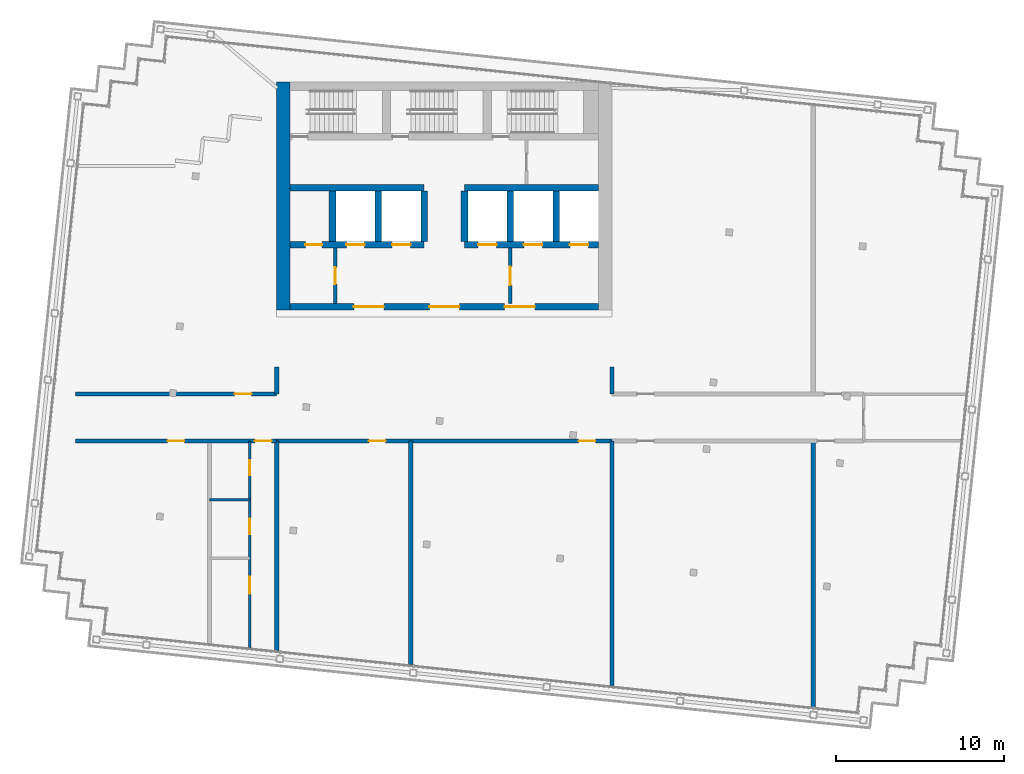
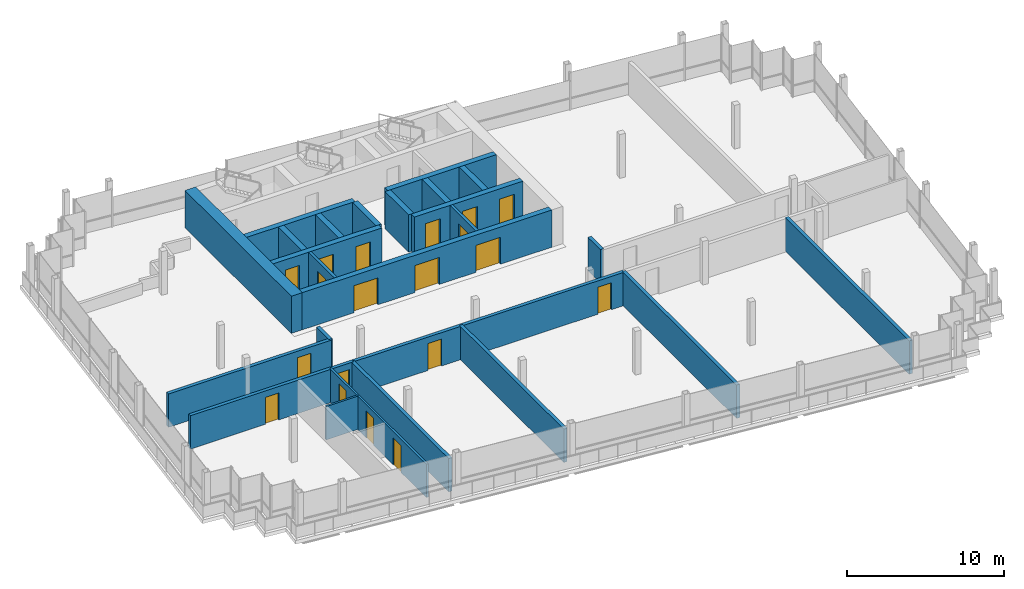
# One storey, part 11 of 15: 25 walls, 19 doors, 19 openings.
"""IFC4 building model written with IfcOpenShell, lengths in metres."""

from ifc_helpers import new_model, si_unit, direction, frame, frame_2d, origin, place, context, subcontext, project, spatial, rectangle, extrude, material, layer, layer_set, type_object, element, fill, save


model = new_model("IFC4")

# Units and contexts
model_context = context("Model", 3, precision=1e-05, world=origin(), true_north=direction((0.0, 1.0)))
body_context = subcontext(model_context, "Body", "Model", "MODEL_VIEW")
ifc_project = project(units=[si_unit("LENGTHUNIT", "METRE"), si_unit("AREAUNIT", "SQUARE_METRE"), si_unit("VOLUMEUNIT", "CUBIC_METRE"), si_unit("PLANEANGLEUNIT", "RADIAN"), si_unit("MASSUNIT", "GRAM", prefix="KILO")], contexts=[model_context])

# Site, building, storey
site_placement = place(None, origin())
site = spatial("IfcSite", under=ifc_project, at=site_placement, CompositionType="ELEMENT")
building_placement = place(site_placement, origin())
building = spatial("IfcBuilding", under=site, at=building_placement, Name="Vidyagriha Tower", CompositionType="ELEMENT")
storey_placement = place(building_placement, frame((0.0, 0.0, 298.300048828125)))
storey = spatial("IfcBuildingStorey", under=building, at=storey_placement, Name="L77", CompositionType="ELEMENT", Elevation=298.300048828125)

# Wall, openings, doors
ifc_material_1 = material(Name="Concrete C60/75", Category="concrete")
ifc_layer_1 = layer(ifc_material_1, 0.39990234375)
ifc_layer_set_1 = layer_set([ifc_layer_1], Name="Concrete C60/75")
wall_type_1 = type_object("IfcWallType", Name="Core shear wall 400 mm", PredefinedType="SHEAR", material=ifc_layer_set_1)
wall_1_placement = place(storey_placement, frame((-9.199951171875, 6.60009765625, 0.0)))
wall_1 = element("IfcWall", 1, at=wall_1_placement, inside=storey, type_object=wall_type_1, Name="Core south wall", PredefinedType="SHEAR", context=body_context, shape_type="SweptSolid", body=[
    extrude(rectangle(XDim=18.39990234375, YDim=0.39990234375, at=frame_2d((9.199951171875, 0.0))), origin(), (0.0, 0.0, 1.0), 2.89990234375),
])
opening_1_placement = place(wall_1_placement, frame((8.300048828125, 0.0, 0.0)))
opening_1 = element("IfcOpeningElement", 2, at=opening_1_placement, cuts=wall_1, Name="Opening D77-01", PredefinedType="OPENING", context=body_context, shape_type="SweptSolid", body=[
    extrude(rectangle(XDim=1.800048828125, YDim=2.10009765625, at=frame_2d((0.89990234375, 1.050048828125))), frame((0.0, 0.2099609375, 0.0), z_axis=(0.0, -1.0, 0.0), x_axis=(1.0, 0.0, 0.0)), (0.0, 0.0, 1.0), 0.419921875),
])
opening_2_placement = place(wall_1_placement, frame((3.800048828125, 0.0, 0.0)))
opening_2 = element("IfcOpeningElement", 3, at=opening_2_placement, cuts=wall_1, Name="Opening D77-02", PredefinedType="OPENING", context=body_context, shape_type="SweptSolid", body=[
    extrude(rectangle(XDim=1.800048828125, YDim=2.10009765625, at=frame_2d((0.89990234375, 1.050048828125))), frame((0.0, 0.2099609375, 0.0), z_axis=(0.0, -1.0, 0.0), x_axis=(1.0, 0.0, 0.0)), (0.0, 0.0, 1.0), 0.419921875),
])
opening_3_placement = place(wall_1_placement, frame((12.800048828125, 0.0, 0.0)))
opening_3 = element("IfcOpeningElement", 4, at=opening_3_placement, cuts=wall_1, Name="Opening D77-03", PredefinedType="OPENING", context=body_context, shape_type="SweptSolid", body=[
    extrude(rectangle(XDim=1.800048828125, YDim=2.10009765625, at=frame_2d((0.89990234375, 1.050048828125))), frame((0.0, 0.2099609375, 0.0), z_axis=(0.0, -1.0, 0.0), x_axis=(1.0, 0.0, 0.0)), (0.0, 0.0, 1.0), 0.419921875),
])
ifc_material_2 = material(Name="Hollow metal door leaf")
door_type_1 = type_object("IfcDoorType", Name="Core lobby double door 1800 x 2100 mm EI 60", OperationType="NOTDEFINED", PredefinedType="DOOR", material=ifc_material_2)
door_1_placement = place(opening_1_placement, frame((1.800048828125, 0.0, 0.0), z_axis=(0.0, 0.0, 1.0), x_axis=(-1.0, 0.0, 0.0)))
door_1 = element("IfcDoor", 5, at=door_1_placement, inside=storey, type_object=door_type_1, Name="Core entrance door L77", OperationType="DOUBLE_DOOR_SINGLE_SWING", OverallHeight=2.10009765625, OverallWidth=1.800048828125, PredefinedType="DOOR", context=body_context, shape_type="SweptSolid", body=[
    extrude(rectangle(XDim=1.800048828125, YDim=2.10009765625, at=frame_2d((0.89990234375, 1.050048828125))), frame((0.0, 0.02490234375, 0.0), z_axis=(0.0, -1.0, 0.0), x_axis=(1.0, 0.0, 0.0)), (0.0, 0.0, 1.0), 0.050048828125),
])
fill(opening_1, door_1)
door_2_placement = place(opening_2_placement, frame((1.800048828125, 0.0, 0.0), z_axis=(0.0, 0.0, 1.0), x_axis=(-1.0, 0.0, 0.0)))
door_2 = element("IfcDoor", 6, at=door_2_placement, inside=storey, type_object=door_type_1, Name="Core entrance door west L77", OperationType="DOUBLE_DOOR_SINGLE_SWING", OverallHeight=2.10009765625, OverallWidth=1.800048828125, PredefinedType="DOOR", context=body_context, shape_type="SweptSolid", body=[
    extrude(rectangle(XDim=1.800048828125, YDim=2.10009765625, at=frame_2d((0.89990234375, 1.050048828125))), frame((0.0, 0.02490234375, 0.0), z_axis=(0.0, -1.0, 0.0), x_axis=(1.0, 0.0, 0.0)), (0.0, 0.0, 1.0), 0.050048828125),
])
fill(opening_2, door_2)
door_3_placement = place(opening_3_placement, frame((1.800048828125, 0.0, 0.0), z_axis=(0.0, 0.0, 1.0), x_axis=(-1.0, 0.0, 0.0)))
door_3 = element("IfcDoor", 7, at=door_3_placement, inside=storey, type_object=door_type_1, Name="Core entrance door east L77", OperationType="DOUBLE_DOOR_SINGLE_SWING", OverallHeight=2.10009765625, OverallWidth=1.800048828125, PredefinedType="DOOR", context=body_context, shape_type="SweptSolid", body=[
    extrude(rectangle(XDim=1.800048828125, YDim=2.10009765625, at=frame_2d((0.89990234375, 1.050048828125))), frame((0.0, 0.02490234375, 0.0), z_axis=(0.0, -1.0, 0.0), x_axis=(1.0, 0.0, 0.0)), (0.0, 0.0, 1.0), 0.050048828125),
])
fill(opening_3, door_3)

wall_2_placement = place(storey_placement, frame((-9.199951171875, 10.300048828125, 0.0)))
wall_2 = element("IfcWall", 8, at=wall_2_placement, inside=storey, type_object=wall_type_1, Name="Core row N front wall", PredefinedType="SHEAR", context=body_context, shape_type="SweptSolid", body=[
    extrude(rectangle(XDim=8.0, YDim=0.39990234375, at=frame_2d((4.0, 0.0))), origin(), (0.0, 0.0, 1.0), 2.89990234375),
])
opening_4_placement = place(wall_2_placement, frame((3.35009765625, 0.0, 0.0)))
opening_4 = element("IfcOpeningElement", 9, at=opening_4_placement, cuts=wall_2, Name="Opening LD77-01", PredefinedType="OPENING", context=body_context, shape_type="SweptSolid", body=[
    extrude(rectangle(XDim=1.10009765625, YDim=2.10009765625, at=frame_2d((0.550048828125, 1.050048828125))), frame((0.0, 0.2099609375, 0.0), z_axis=(0.0, -1.0, 0.0), x_axis=(1.0, 0.0, 0.0)), (0.0, 0.0, 1.0), 0.419921875),
])
opening_5_placement = place(wall_2_placement, frame((6.083251953125, 0.0, 0.0)))
opening_5 = element("IfcOpeningElement", 10, at=opening_5_placement, cuts=wall_2, Name="Opening LD77-02", PredefinedType="OPENING", context=body_context, shape_type="SweptSolid", body=[
    extrude(rectangle(XDim=1.10009765625, YDim=2.10009765625, at=frame_2d((0.550048828125, 1.050048828125))), frame((0.0, 0.2099609375, 0.0), z_axis=(0.0, -1.0, 0.0), x_axis=(1.0, 0.0, 0.0)), (0.0, 0.0, 1.0), 0.419921875),
])
opening_6_placement = place(wall_2_placement, frame((0.916748046875, 0.0, 0.0)))
opening_6 = element("IfcOpeningElement", 11, at=opening_6_placement, cuts=wall_2, Name="Opening D77-04", PredefinedType="OPENING", context=body_context, shape_type="SweptSolid", body=[
    extrude(rectangle(XDim=1.0, YDim=2.10009765625, at=frame_2d((0.5, 1.050048828125))), frame((0.0, 0.2099609375, 0.0), z_axis=(0.0, -1.0, 0.0), x_axis=(1.0, 0.0, 0.0)), (0.0, 0.0, 1.0), 0.419921875),
])
ifc_material_3 = material(Name="Hollow metal door leaf")
door_type_2 = type_object("IfcDoorType", Name="Core room door 1000 x 2100 mm EI 60", OperationType="NOTDEFINED", PredefinedType="DOOR", material=ifc_material_3)
door_4_placement = place(opening_6_placement, frame((1.0, 0.0, 0.0), z_axis=(0.0, 0.0, 1.0), x_axis=(-1.0, 0.0, 0.0)))
door_4 = element("IfcDoor", 12, at=door_4_placement, inside=storey, type_object=door_type_2, Name="Door Pressurisation Plant Room 77.14", OperationType="SINGLE_SWING_RIGHT", OverallHeight=2.10009765625, OverallWidth=1.0, PredefinedType="DOOR", context=body_context, shape_type="SweptSolid", body=[
    extrude(rectangle(XDim=1.0, YDim=2.10009765625, at=frame_2d((0.5, 1.050048828125))), frame((0.0, 0.02490234375, 0.0), z_axis=(0.0, -1.0, 0.0), x_axis=(1.0, 0.0, 0.0)), (0.0, 0.0, 1.0), 0.050048828125),
])
fill(opening_6, door_4)
ifc_material_4 = material(Name="Stainless steel sliding door panel", Category="steel")
door_type_3 = type_object("IfcDoorType", Name="Lift landing door 1100 x 2100 mm EI 90", OperationType="NOTDEFINED", PredefinedType="DOOR", material=ifc_material_4)
door_5_placement = place(opening_4_placement, origin())
door_5 = element("IfcDoor", 13, at=door_5_placement, inside=storey, type_object=door_type_3, Name="Landing door HR1 L77", OperationType="SLIDING_TO_LEFT", OverallHeight=2.10009765625, OverallWidth=1.10009765625, PredefinedType="DOOR", context=body_context, shape_type="SweptSolid", body=[
    extrude(rectangle(XDim=1.10009765625, YDim=2.10009765625, at=frame_2d((0.550048828125, 1.050048828125))), frame((0.0, 0.02490234375, 0.0), z_axis=(0.0, -1.0, 0.0), x_axis=(1.0, 0.0, 0.0)), (0.0, 0.0, 1.0), 0.050048828125),
])
fill(opening_4, door_5)
door_6_placement = place(opening_5_placement, origin())
door_6 = element("IfcDoor", 14, at=door_6_placement, inside=storey, type_object=door_type_3, Name="Landing door HR2 L77", OperationType="SLIDING_TO_LEFT", OverallHeight=2.10009765625, OverallWidth=1.10009765625, PredefinedType="DOOR", context=body_context, shape_type="SweptSolid", body=[
    extrude(rectangle(XDim=1.10009765625, YDim=2.10009765625, at=frame_2d((0.550048828125, 1.050048828125))), frame((0.0, 0.02490234375, 0.0), z_axis=(0.0, -1.0, 0.0), x_axis=(1.0, 0.0, 0.0)), (0.0, 0.0, 1.0), 0.050048828125),
])
fill(opening_5, door_6)

# Wall
wall_3_placement = place(storey_placement, frame((-9.199951171875, 13.699951171875, 0.0)))
element("IfcWall", 15, at=wall_3_placement, inside=storey, type_object=wall_type_1, Name="Core row N rear wall", PredefinedType="SHEAR", context=body_context, shape_type="SweptSolid", body=[
    extrude(rectangle(XDim=8.0, YDim=0.39990234375, at=frame_2d((4.0, 0.0))), origin(), (0.0, 0.0, 1.0), 2.89990234375),
])

# Wall, openings, doors
wall_4_placement = place(storey_placement, frame((1.199951171875, 10.300048828125, 0.0)))
wall_4 = element("IfcWall", 16, at=wall_4_placement, inside=storey, type_object=wall_type_1, Name="Core row N front wall", PredefinedType="SHEAR", context=body_context, shape_type="SweptSolid", body=[
    extrude(rectangle(XDim=8.0, YDim=0.39990234375, at=frame_2d((4.0, 0.0))), origin(), (0.0, 0.0, 1.0), 2.89990234375),
])
opening_7_placement = place(wall_4_placement, frame((0.816650390625, 0.0, 0.0)))
opening_7 = element("IfcOpeningElement", 17, at=opening_7_placement, cuts=wall_4, Name="Opening LD77-03", PredefinedType="OPENING", context=body_context, shape_type="SweptSolid", body=[
    extrude(rectangle(XDim=1.10009765625, YDim=2.10009765625, at=frame_2d((0.550048828125, 1.050048828125))), frame((0.0, 0.2099609375, 0.0), z_axis=(0.0, -1.0, 0.0), x_axis=(1.0, 0.0, 0.0)), (0.0, 0.0, 1.0), 0.419921875),
])
opening_8_placement = place(wall_4_placement, frame((3.550048828125, 0.0, 0.0)))
opening_8 = element("IfcOpeningElement", 18, at=opening_8_placement, cuts=wall_4, Name="Opening LD77-04", PredefinedType="OPENING", context=body_context, shape_type="SweptSolid", body=[
    extrude(rectangle(XDim=1.10009765625, YDim=2.10009765625, at=frame_2d((0.550048828125, 1.050048828125))), frame((0.0, 0.2099609375, 0.0), z_axis=(0.0, -1.0, 0.0), x_axis=(1.0, 0.0, 0.0)), (0.0, 0.0, 1.0), 0.419921875),
])
opening_9_placement = place(wall_4_placement, frame((6.283203125, 0.0, 0.0)))
opening_9 = element("IfcOpeningElement", 19, at=opening_9_placement, cuts=wall_4, Name="Opening LD77-05", PredefinedType="OPENING", context=body_context, shape_type="SweptSolid", body=[
    extrude(rectangle(XDim=1.10009765625, YDim=2.10009765625, at=frame_2d((0.550048828125, 1.050048828125))), frame((0.0, 0.2099609375, 0.0), z_axis=(0.0, -1.0, 0.0), x_axis=(1.0, 0.0, 0.0)), (0.0, 0.0, 1.0), 0.419921875),
])
door_7_placement = place(opening_7_placement, origin())
door_7 = element("IfcDoor", 20, at=door_7_placement, inside=storey, type_object=door_type_3, Name="Landing door HR3 L77", OperationType="SLIDING_TO_LEFT", OverallHeight=2.10009765625, OverallWidth=1.10009765625, PredefinedType="DOOR", context=body_context, shape_type="SweptSolid", body=[
    extrude(rectangle(XDim=1.10009765625, YDim=2.10009765625, at=frame_2d((0.550048828125, 1.050048828125))), frame((0.0, 0.02490234375, 0.0), z_axis=(0.0, -1.0, 0.0), x_axis=(1.0, 0.0, 0.0)), (0.0, 0.0, 1.0), 0.050048828125),
])
fill(opening_7, door_7)
door_8_placement = place(opening_8_placement, origin())
door_8 = element("IfcDoor", 21, at=door_8_placement, inside=storey, type_object=door_type_3, Name="Landing door FF1 L77", OperationType="SLIDING_TO_LEFT", OverallHeight=2.10009765625, OverallWidth=1.10009765625, PredefinedType="DOOR", context=body_context, shape_type="SweptSolid", body=[
    extrude(rectangle(XDim=1.10009765625, YDim=2.10009765625, at=frame_2d((0.550048828125, 1.050048828125))), frame((0.0, 0.02490234375, 0.0), z_axis=(0.0, -1.0, 0.0), x_axis=(1.0, 0.0, 0.0)), (0.0, 0.0, 1.0), 0.050048828125),
])
fill(opening_8, door_8)
door_9_placement = place(opening_9_placement, origin())
door_9 = element("IfcDoor", 22, at=door_9_placement, inside=storey, type_object=door_type_3, Name="Landing door FF2 L77", OperationType="SLIDING_TO_LEFT", OverallHeight=2.10009765625, OverallWidth=1.10009765625, PredefinedType="DOOR", context=body_context, shape_type="SweptSolid", body=[
    extrude(rectangle(XDim=1.10009765625, YDim=2.10009765625, at=frame_2d((0.550048828125, 1.050048828125))), frame((0.0, 0.02490234375, 0.0), z_axis=(0.0, -1.0, 0.0), x_axis=(1.0, 0.0, 0.0)), (0.0, 0.0, 1.0), 0.050048828125),
])
fill(opening_9, door_9)

# Walls
wall_5_placement = place(storey_placement, frame((1.199951171875, 13.699951171875, 0.0)))
element("IfcWall", 23, at=wall_5_placement, inside=storey, type_object=wall_type_1, Name="Core row N rear wall", PredefinedType="SHEAR", context=body_context, shape_type="SweptSolid", body=[
    extrude(rectangle(XDim=8.0, YDim=0.39990234375, at=frame_2d((4.0, 0.0))), origin(), (0.0, 0.0, 1.0), 2.89990234375),
])
for number, where, z_axis, x_axis, name in (
    (24, (-6.666748046875, 10.5, 0.0), (0.0, 0.0, 1.0), (0.0, 1.0, 0.0), "Core bay wall N1"),
    (25, (-3.933349609375, 10.5, 0.0), (0.0, 0.0, 1.0), (0.0, 1.0, 0.0), "Core bay wall N2"),
    (26, (-1.199951171875, 10.5, 0.0), (0.0, 0.0, 1.0), (0.0, 1.0, 0.0), "Core bay wall N3"),
    (27, (1.199951171875, 10.5, 0.0), (0.0, 0.0, 1.0), (0.0, 1.0, 0.0), "Core bay wall N4"),
    (28, (3.933349609375, 10.5, 0.0), (0.0, 0.0, 1.0), (0.0, 1.0, 0.0), "Core bay wall N5"),
    (29, (6.666748046875, 10.5, 0.0), (0.0, 0.0, 1.0), (0.0, 1.0, 0.0), "Core bay wall N6"),
):
    element("IfcWall", number, at=place(storey_placement, frame(where, z_axis=z_axis, x_axis=x_axis)), inside=storey, type_object=wall_type_1, Name=name, PredefinedType="SHEAR", context=body_context, shape_type="SweptSolid", body=[
        extrude(rectangle(XDim=3.0, YDim=0.39990234375, at=frame_2d((1.5, 0.0))), origin(), (0.0, 0.0, 1.0), 2.89990234375),
    ])
ifc_material_5 = material(Name="Concrete C60/75", Category="concrete")
ifc_layer_2 = layer(ifc_material_5, 0.800048828125)
ifc_layer_set_2 = layer_set([ifc_layer_2], Name="Concrete C60/75")
wall_type_2 = type_object("IfcWallType", Name="Core shear wall 800 mm", PredefinedType="SHEAR", material=ifc_layer_set_2)
wall_6_placement = place(storey_placement, frame((-9.60009765625, 6.39990234375, 0.0), z_axis=(0.0, 0.0, 1.0), x_axis=(0.0, 1.0, 0.0)))
element("IfcWall", 30, at=wall_6_placement, inside=storey, type_object=wall_type_2, Name="Core west wall", PredefinedType="SHEAR", context=body_context, shape_type="SweptSolid", body=[
    extrude(rectangle(XDim=13.60009765625, YDim=0.800048828125, at=frame_2d((6.800048828125, 0.0))), origin(), (0.0, 0.0, 1.0), 2.89990234375),
])

# Wall, openings, doors
ifc_material_6 = material(Name="Fired clay brick masonry", Category="masonry")
ifc_layer_3 = layer(ifc_material_6, 0.25)
ifc_layer_set_3 = layer_set([ifc_layer_3], Name="Fired clay brick masonry")
wall_type_3 = type_object("IfcWallType", Name="Fired clay brick corridor wall 250", PredefinedType="PARTITIONING", material=ifc_layer_set_3)
wall_7_placement = place(storey_placement, frame((-10.0, -1.39990234375, 0.0), z_axis=(0.0, 0.0, 1.0), x_axis=(-1.0, 0.0, 0.0)))
wall_7 = element("IfcWall", 31, at=wall_7_placement, inside=storey, type_object=wall_type_3, Name="Wall all-L77-w001", PredefinedType="PARTITIONING", context=body_context, shape_type="SweptSolid", body=[
    extrude(rectangle(XDim=12.0, YDim=0.25, at=frame_2d((6.0, 0.0))), origin(), (0.0, 0.0, 1.0), 2.599853515625),
])
opening_10_placement = place(wall_7_placement, frame((0.300048828125, 0.0, 0.0)))
opening_10 = element("IfcOpeningElement", 32, at=opening_10_placement, cuts=wall_7, Name="Opening D77-14", PredefinedType="OPENING", context=body_context, shape_type="SweptSolid", body=[
    extrude(rectangle(XDim=1.0, YDim=2.10009765625, at=frame_2d((0.5, 1.050048828125))), frame((0.0, 0.135009765625, 0.0), z_axis=(0.0, -1.0, 0.0), x_axis=(1.0, 0.0, 0.0)), (0.0, 0.0, 1.0), 0.27001953125),
])
opening_11_placement = place(wall_7_placement, frame((5.5, 0.0, 0.0)))
opening_11 = element("IfcOpeningElement", 33, at=opening_11_placement, cuts=wall_7, Name="Opening D77-15", PredefinedType="OPENING", context=body_context, shape_type="SweptSolid", body=[
    extrude(rectangle(XDim=1.0, YDim=2.10009765625, at=frame_2d((0.5, 1.050048828125))), frame((0.0, 0.135009765625, 0.0), z_axis=(0.0, -1.0, 0.0), x_axis=(1.0, 0.0, 0.0)), (0.0, 0.0, 1.0), 0.27001953125),
])
ifc_material_7 = material(Name="Fire-rated timber door leaf EI 60", Category="wood")
door_type_4 = type_object("IfcDoorType", Name="Flat entrance fire door 1000x2100", OperationType="NOTDEFINED", PredefinedType="DOOR", material=ifc_material_7)
door_10_placement = place(opening_10_placement, origin())
door_10 = element("IfcDoor", 34, at=door_10_placement, inside=storey, type_object=door_type_4, Name="Door D77-14", OperationType="SINGLE_SWING_RIGHT", OverallHeight=2.10009765625, OverallWidth=1.0, PredefinedType="DOOR", context=body_context, shape_type="SweptSolid", body=[
    extrude(rectangle(XDim=1.0, YDim=2.10009765625, at=frame_2d((0.5, 1.050048828125))), frame((0.0, 0.02490234375, 0.0), z_axis=(0.0, -1.0, 0.0), x_axis=(1.0, 0.0, 0.0)), (0.0, 0.0, 1.0), 0.050048828125),
])
fill(opening_10, door_10)
door_11_placement = place(opening_11_placement, origin())
door_11 = element("IfcDoor", 35, at=door_11_placement, inside=storey, type_object=door_type_4, Name="Door D77-15", OperationType="SINGLE_SWING_LEFT", OverallHeight=2.10009765625, OverallWidth=1.0, PredefinedType="DOOR", context=body_context, shape_type="SweptSolid", body=[
    extrude(rectangle(XDim=1.0, YDim=2.10009765625, at=frame_2d((0.5, 1.050048828125))), frame((0.0, 0.02490234375, 0.0), z_axis=(0.0, -1.0, 0.0), x_axis=(1.0, 0.0, 0.0)), (0.0, 0.0, 1.0), 0.050048828125),
])
fill(opening_11, door_11)

# Wall, opening, door
wall_8_placement = place(storey_placement, frame((-22.0, 1.39990234375, 0.0)))
wall_8 = element("IfcWall", 36, at=wall_8_placement, inside=storey, type_object=wall_type_3, Name="Wall all-L77-w012", PredefinedType="PARTITIONING", context=body_context, shape_type="SweptSolid", body=[
    extrude(rectangle(XDim=12.0, YDim=0.25, at=frame_2d((6.0, 0.0))), origin(), (0.0, 0.0, 1.0), 2.599853515625),
])
opening_12_placement = place(wall_8_placement, frame((9.5, 0.0, 0.0)))
opening_12 = element("IfcOpeningElement", 37, at=opening_12_placement, cuts=wall_8, Name="Opening D77-16", PredefinedType="OPENING", context=body_context, shape_type="SweptSolid", body=[
    extrude(rectangle(XDim=1.0, YDim=2.10009765625, at=frame_2d((0.5, 1.050048828125))), frame((0.0, 0.135009765625, 0.0), z_axis=(0.0, -1.0, 0.0), x_axis=(1.0, 0.0, 0.0)), (0.0, 0.0, 1.0), 0.27001953125),
])
door_12_placement = place(opening_12_placement, origin())
door_12 = element("IfcDoor", 38, at=door_12_placement, inside=storey, type_object=door_type_4, Name="Door D77-16", OperationType="SINGLE_SWING_RIGHT", OverallHeight=2.10009765625, OverallWidth=1.0, PredefinedType="DOOR", context=body_context, shape_type="SweptSolid", body=[
    extrude(rectangle(XDim=1.0, YDim=2.10009765625, at=frame_2d((0.5, 1.050048828125))), frame((0.0, 0.02490234375, 0.0), z_axis=(0.0, -1.0, 0.0), x_axis=(1.0, 0.0, 0.0)), (0.0, 0.0, 1.0), 0.050048828125),
])
fill(opening_12, door_12)

# Wall, openings, doors
wall_9_placement = place(storey_placement, frame((10.0, -1.39990234375, 0.0), z_axis=(0.0, 0.0, 1.0), x_axis=(-1.0, 0.0, 0.0)))
wall_9 = element("IfcWall", 39, at=wall_9_placement, inside=storey, type_object=wall_type_3, Name="Wall all-L77-w030", PredefinedType="PARTITIONING", context=body_context, shape_type="SweptSolid", body=[
    extrude(rectangle(XDim=20.0, YDim=0.25, at=frame_2d((10.0, 0.0))), origin(), (0.0, 0.0, 1.0), 2.599853515625),
])
opening_13_placement = place(wall_9_placement, frame((13.5, 0.0, 0.0)))
opening_13 = element("IfcOpeningElement", 40, at=opening_13_placement, cuts=wall_9, Name="Opening D77-22", PredefinedType="OPENING", context=body_context, shape_type="SweptSolid", body=[
    extrude(rectangle(XDim=1.0, YDim=2.10009765625, at=frame_2d((0.5, 1.050048828125))), frame((0.0, 0.135009765625, 0.0), z_axis=(0.0, -1.0, 0.0), x_axis=(1.0, 0.0, 0.0)), (0.0, 0.0, 1.0), 0.27001953125),
])
opening_14_placement = place(wall_9_placement, frame((0.987548828125, 0.0, 0.0)))
opening_14 = element("IfcOpeningElement", 41, at=opening_14_placement, cuts=wall_9, Name="Opening D77-23", PredefinedType="OPENING", context=body_context, shape_type="SweptSolid", body=[
    extrude(rectangle(XDim=1.0, YDim=2.10009765625, at=frame_2d((0.5, 1.050048828125))), frame((0.0, 0.135009765625, 0.0), z_axis=(0.0, -1.0, 0.0), x_axis=(1.0, 0.0, 0.0)), (0.0, 0.0, 1.0), 0.27001953125),
])
door_13_placement = place(opening_13_placement, origin())
door_13 = element("IfcDoor", 42, at=door_13_placement, inside=storey, type_object=door_type_4, Name="Door D77-22", OperationType="SINGLE_SWING_LEFT", OverallHeight=2.10009765625, OverallWidth=1.0, PredefinedType="DOOR", context=body_context, shape_type="SweptSolid", body=[
    extrude(rectangle(XDim=1.0, YDim=2.10009765625, at=frame_2d((0.5, 1.050048828125))), frame((0.0, 0.02490234375, 0.0), z_axis=(0.0, -1.0, 0.0), x_axis=(1.0, 0.0, 0.0)), (0.0, 0.0, 1.0), 0.050048828125),
])
fill(opening_13, door_13)
door_14_placement = place(opening_14_placement, origin())
door_14 = element("IfcDoor", 43, at=door_14_placement, inside=storey, type_object=door_type_4, Name="Door D77-23", OperationType="SINGLE_SWING_LEFT", OverallHeight=2.10009765625, OverallWidth=1.0, PredefinedType="DOOR", context=body_context, shape_type="SweptSolid", body=[
    extrude(rectangle(XDim=1.0, YDim=2.10009765625, at=frame_2d((0.5, 1.050048828125))), frame((0.0, 0.02490234375, 0.0), z_axis=(0.0, -1.0, 0.0), x_axis=(1.0, 0.0, 0.0)), (0.0, 0.0, 1.0), 0.050048828125),
])
fill(opening_14, door_14)

# Walls
for number, where, z_axis, x_axis, name in (
    (44, (-10.0, 3.0, 0.0), (0.0, 0.0, 1.0), (0.0, -1.0, 0.0), "Wall all-L77-w031"),
    (45, (10.0, 1.39990234375, 0.0), (0.0, 0.0, 1.0), (0.0, 1.0, 0.0), "Wall all-L77-w032"),
):
    element("IfcWall", number, at=place(storey_placement, frame(where, z_axis=z_axis, x_axis=x_axis)), inside=storey, type_object=wall_type_3, Name=name, PredefinedType="PARTITIONING", context=body_context, shape_type="SweptSolid", body=[
        extrude(rectangle(XDim=1.60009765625, YDim=0.25, at=frame_2d((0.800048828125, 0.0))), origin(), (0.0, 0.0, 1.0), 2.599853515625),
    ])
ifc_material_8 = material(Name="Fired clay brick masonry", Category="masonry")
ifc_layer_4 = layer(ifc_material_8, 0.25)
ifc_layer_set_4 = layer_set([ifc_layer_4], Name="Fired clay brick masonry")
wall_type_4 = type_object("IfcWallType", Name="Fired clay brick demising wall 250", PredefinedType="PARTITIONING", material=ifc_layer_set_4)
wall_10_placement = place(storey_placement, frame((-10.0, -1.39990234375, 0.0), z_axis=(0.0, 0.0, 1.0), x_axis=(0.0, -1.0, 0.0)))
element("IfcWall", 46, at=wall_10_placement, inside=storey, type_object=wall_type_4, Name="Wall all-L77-w011", PredefinedType="PARTITIONING", context=body_context, shape_type="SweptSolid", body=[
    extrude(rectangle(XDim=12.4912109375, YDim=0.25, at=frame_2d((6.24560546875, 0.0))), origin(), (0.0, 0.0, 1.0), 2.599853515625),
])
wall_11_placement = place(storey_placement, frame((10.0, -1.39990234375, 0.0), z_axis=(0.0, 0.0, 1.0), x_axis=(0.0, -1.0, 0.0)))
element("IfcWall", 47, at=wall_11_placement, inside=storey, type_object=wall_type_4, Name="Wall all-L77-w020", PredefinedType="PARTITIONING", context=body_context, shape_type="SweptSolid", body=[
    extrude(rectangle(XDim=14.59326171875, YDim=0.25, at=frame_2d((7.296630859375, 0.0))), origin(), (0.0, 0.0, 1.0), 2.599853515625),
])
wall_12_placement = place(storey_placement, frame((22.0, -1.39990234375, 0.0), z_axis=(0.0, 0.0, 1.0), x_axis=(0.0, -1.0, 0.0)))
element("IfcWall", 48, at=wall_12_placement, inside=storey, type_object=wall_type_4, Name="Wall all-L77-w021", PredefinedType="PARTITIONING", context=body_context, shape_type="SweptSolid", body=[
    extrude(rectangle(XDim=15.8544921875, YDim=0.25, at=frame_2d((7.92724609375, 0.0))), origin(), (0.0, 0.0, 1.0), 2.599853515625),
])
wall_13_placement = place(storey_placement, frame((-2.0, -1.39990234375, 0.0), z_axis=(0.0, 0.0, 1.0), x_axis=(0.0, -1.0, 0.0)))
element("IfcWall", 49, at=wall_13_placement, inside=storey, type_object=wall_type_4, Name="Wall all-L77-w029", PredefinedType="PARTITIONING", context=body_context, shape_type="SweptSolid", body=[
    extrude(rectangle(XDim=13.33203125, YDim=0.25, at=frame_2d((6.666015625, 0.0))), origin(), (0.0, 0.0, 1.0), 2.599853515625),
])
ifc_material_9 = material(Name="Gypsum board partition")
ifc_layer_5 = layer(ifc_material_9, 0.14990234375)
ifc_layer_set_5 = layer_set([ifc_layer_5], Name="Gypsum board partition")
wall_type_5 = type_object("IfcWallType", Name="Gypsum board partition 150", PredefinedType="PARTITIONING", material=ifc_layer_set_5)
wall_14_placement = place(storey_placement, frame((-11.60009765625, -4.89990234375, 0.0), z_axis=(0.0, 0.0, 1.0), x_axis=(-1.0, 0.0, 0.0)))
element("IfcWall", 50, at=wall_14_placement, inside=storey, type_object=wall_type_5, Name="Wall all-L77-w004", PredefinedType="PARTITIONING", context=body_context, shape_type="SweptSolid", body=[
    extrude(rectangle(XDim=2.39990234375, YDim=0.14990234375, at=frame_2d((1.199951171875, 0.0))), origin(), (0.0, 0.0, 1.0), 2.599853515625),
])

# Wall, openings, doors
ifc_material_10 = material(Name="Moisture resistant gypsum board partition")
ifc_layer_6 = layer(ifc_material_10, 0.14990234375)
ifc_layer_set_6 = layer_set([ifc_layer_6], Name="Moisture resistant gypsum board partition")
wall_type_6 = type_object("IfcWallType", Name="Gypsum board wet-area partition 150", PredefinedType="PARTITIONING", material=ifc_layer_set_6)
wall_15_placement = place(storey_placement, frame((-11.60009765625, -13.722900390625, 0.0), z_axis=(0.0, 0.0, 1.0), x_axis=(0.0, 1.0, 0.0)))
wall_15 = element("IfcWall", 51, at=wall_15_placement, inside=storey, type_object=wall_type_6, Name="Wall all-L77-w002", PredefinedType="PARTITIONING", context=body_context, shape_type="SweptSolid", body=[
    extrude(rectangle(XDim=12.322998046875, YDim=0.14990234375, at=frame_2d((6.16162109375, 0.0))), origin(), (0.0, 0.0, 1.0), 2.599853515625),
])
opening_15_placement = place(wall_15_placement, frame((10.27294921875, 0.0, 0.0)))
opening_15 = element("IfcOpeningElement", 52, at=opening_15_placement, cuts=wall_15, Name="Opening D77-11", PredefinedType="OPENING", context=body_context, shape_type="SweptSolid", body=[
    extrude(rectangle(XDim=0.89990234375, YDim=2.10009765625, at=frame_2d((0.449951171875, 1.050048828125))), frame((0.0, 0.0849609375, 0.0), z_axis=(0.0, -1.0, 0.0), x_axis=(1.0, 0.0, 0.0)), (0.0, 0.0, 1.0), 0.169921875),
])
opening_16_placement = place(wall_15_placement, frame((6.77294921875, 0.0, 0.0)))
opening_16 = element("IfcOpeningElement", 53, at=opening_16_placement, cuts=wall_15, Name="Opening D77-12", PredefinedType="OPENING", context=body_context, shape_type="SweptSolid", body=[
    extrude(rectangle(XDim=0.89990234375, YDim=2.10009765625, at=frame_2d((0.449951171875, 1.050048828125))), frame((0.0, 0.0849609375, 0.0), z_axis=(0.0, -1.0, 0.0), x_axis=(1.0, 0.0, 0.0)), (0.0, 0.0, 1.0), 0.169921875),
])
opening_17_placement = place(wall_15_placement, frame((3.222900390625, 0.0, 0.0)))
opening_17 = element("IfcOpeningElement", 54, at=opening_17_placement, cuts=wall_15, Name="Opening D77-13", PredefinedType="OPENING", context=body_context, shape_type="SweptSolid", body=[
    extrude(rectangle(XDim=1.0, YDim=2.10009765625, at=frame_2d((0.5, 1.050048828125))), frame((0.0, 0.0849609375, 0.0), z_axis=(0.0, -1.0, 0.0), x_axis=(1.0, 0.0, 0.0)), (0.0, 0.0, 1.0), 0.169921875),
])
ifc_material_11 = material(Name="Timber door leaf", Category="wood")
door_type_5 = type_object("IfcDoorType", Name="Bathroom door 1000x2100", OperationType="NOTDEFINED", PredefinedType="DOOR", material=ifc_material_11)
door_15_placement = place(opening_17_placement, origin())
door_15 = element("IfcDoor", 55, at=door_15_placement, inside=storey, type_object=door_type_5, Name="Door D77-13", OperationType="SINGLE_SWING_RIGHT", OverallHeight=2.10009765625, OverallWidth=1.0, PredefinedType="DOOR", context=body_context, shape_type="SweptSolid", body=[
    extrude(rectangle(XDim=1.0, YDim=2.10009765625, at=frame_2d((0.5, 1.050048828125))), frame((0.0, 0.02490234375, 0.0), z_axis=(0.0, -1.0, 0.0), x_axis=(1.0, 0.0, 0.0)), (0.0, 0.0, 1.0), 0.050048828125),
])
fill(opening_17, door_15)
ifc_material_12 = material(Name="Timber door leaf", Category="wood")
door_type_6 = type_object("IfcDoorType", Name="Bathroom door 900x2100", OperationType="NOTDEFINED", PredefinedType="DOOR", material=ifc_material_12)
door_16_placement = place(opening_15_placement, origin())
door_16 = element("IfcDoor", 56, at=door_16_placement, inside=storey, type_object=door_type_6, Name="Door D77-11", OperationType="SINGLE_SWING_RIGHT", OverallHeight=2.10009765625, OverallWidth=0.89990234375, PredefinedType="DOOR", context=body_context, shape_type="SweptSolid", body=[
    extrude(rectangle(XDim=0.89990234375, YDim=2.10009765625, at=frame_2d((0.449951171875, 1.050048828125))), frame((0.0, 0.02490234375, 0.0), z_axis=(0.0, -1.0, 0.0), x_axis=(1.0, 0.0, 0.0)), (0.0, 0.0, 1.0), 0.050048828125),
])
fill(opening_15, door_16)
door_17_placement = place(opening_16_placement, origin())
door_17 = element("IfcDoor", 57, at=door_17_placement, inside=storey, type_object=door_type_6, Name="Door D77-12", OperationType="SINGLE_SWING_RIGHT", OverallHeight=2.10009765625, OverallWidth=0.89990234375, PredefinedType="DOOR", context=body_context, shape_type="SweptSolid", body=[
    extrude(rectangle(XDim=0.89990234375, YDim=2.10009765625, at=frame_2d((0.449951171875, 1.050048828125))), frame((0.0, 0.02490234375, 0.0), z_axis=(0.0, -1.0, 0.0), x_axis=(1.0, 0.0, 0.0)), (0.0, 0.0, 1.0), 0.050048828125),
])
fill(opening_16, door_17)

# Wall, opening, door
ifc_material_13 = material(Name="Blockwork 15 MPa", Category="masonry")
ifc_layer_7 = layer(ifc_material_13, 0.199951171875)
ifc_layer_set_7 = layer_set([ifc_layer_7], Name="Blockwork 15 MPa")
wall_type_7 = type_object("IfcWallType", Name="Service room partition 200 mm", PredefinedType="PARTITIONING", material=ifc_layer_set_7)
wall_16_placement = place(storey_placement, frame((3.933349609375, 6.800048828125, 0.0), z_axis=(0.0, 0.0, 1.0), x_axis=(0.0, 1.0, 0.0)))
wall_16 = element("IfcWall", 58, at=wall_16_placement, inside=storey, type_object=wall_type_7, Name="Fire-fighting lobby west wall", PredefinedType="PARTITIONING", context=body_context, shape_type="SweptSolid", body=[
    extrude(rectangle(XDim=3.300048828125, YDim=0.199951171875, at=frame_2d((1.64990234375, 0.0))), origin(), (0.0, 0.0, 1.0), 2.89990234375),
])
opening_18_placement = place(wall_16_placement, frame((1.10009765625, 0.0, 0.0)))
opening_18 = element("IfcOpeningElement", 59, at=opening_18_placement, cuts=wall_16, Name="Opening D77-05", PredefinedType="OPENING", context=body_context, shape_type="SweptSolid", body=[
    extrude(rectangle(XDim=1.10009765625, YDim=2.10009765625, at=frame_2d((0.550048828125, 1.050048828125))), frame((0.0, 0.10986328125, 0.0), z_axis=(0.0, -1.0, 0.0), x_axis=(1.0, 0.0, 0.0)), (0.0, 0.0, 1.0), 0.219970703125),
])
ifc_material_14 = material(Name="Hollow metal door leaf")
door_type_7 = type_object("IfcDoorType", Name="Fire-fighting lobby door 1100 x 2100 mm EI 90", OperationType="NOTDEFINED", PredefinedType="DOOR", material=ifc_material_14)
door_18_placement = place(opening_18_placement, origin())
door_18 = element("IfcDoor", 60, at=door_18_placement, inside=storey, type_object=door_type_7, Name="Fire-fighting lobby door L77", OperationType="SINGLE_SWING_RIGHT", OverallHeight=2.10009765625, OverallWidth=1.10009765625, PredefinedType="DOOR", context=body_context, shape_type="SweptSolid", body=[
    extrude(rectangle(XDim=1.10009765625, YDim=2.10009765625, at=frame_2d((0.550048828125, 1.050048828125))), frame((0.0, 0.02490234375, 0.0), z_axis=(0.0, -1.0, 0.0), x_axis=(1.0, 0.0, 0.0)), (0.0, 0.0, 1.0), 0.050048828125),
])
fill(opening_18, door_18)

wall_17_placement = place(storey_placement, frame((-6.5, 6.800048828125, 0.0), z_axis=(0.0, 0.0, 1.0), x_axis=(0.0, 1.0, 0.0)))
wall_17 = element("IfcWall", 61, at=wall_17_placement, inside=storey, type_object=wall_type_7, Name="Core room partition W", PredefinedType="PARTITIONING", context=body_context, shape_type="SweptSolid", body=[
    extrude(rectangle(XDim=3.300048828125, YDim=0.199951171875, at=frame_2d((1.64990234375, 0.0))), origin(), (0.0, 0.0, 1.0), 2.89990234375),
])
opening_19_placement = place(wall_17_placement, frame((1.14990234375, 0.0, 0.0)))
opening_19 = element("IfcOpeningElement", 62, at=opening_19_placement, cuts=wall_17, Name="Opening D77-09", PredefinedType="OPENING", context=body_context, shape_type="SweptSolid", body=[
    extrude(rectangle(XDim=1.0, YDim=2.10009765625, at=frame_2d((0.5, 1.050048828125))), frame((0.0, 0.10986328125, 0.0), z_axis=(0.0, -1.0, 0.0), x_axis=(1.0, 0.0, 0.0)), (0.0, 0.0, 1.0), 0.219970703125),
])
door_19_placement = place(opening_19_placement, origin())
door_19 = element("IfcDoor", 63, at=door_19_placement, inside=storey, type_object=door_type_2, Name="Door Electrical Room 77.T1", OperationType="SINGLE_SWING_RIGHT", OverallHeight=2.10009765625, OverallWidth=1.0, PredefinedType="DOOR", context=body_context, shape_type="SweptSolid", body=[
    extrude(rectangle(XDim=1.0, YDim=2.10009765625, at=frame_2d((0.5, 1.050048828125))), frame((0.0, 0.02490234375, 0.0), z_axis=(0.0, -1.0, 0.0), x_axis=(1.0, 0.0, 0.0)), (0.0, 0.0, 1.0), 0.050048828125),
])
fill(opening_19, door_19)

save(model, "model.ifc")
